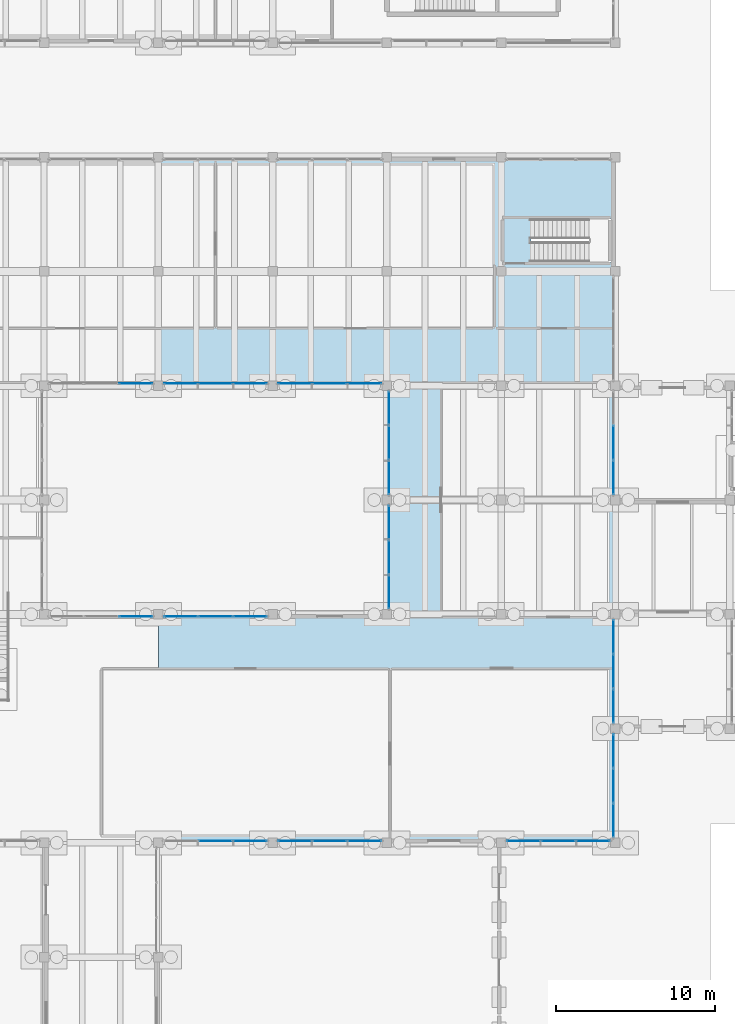
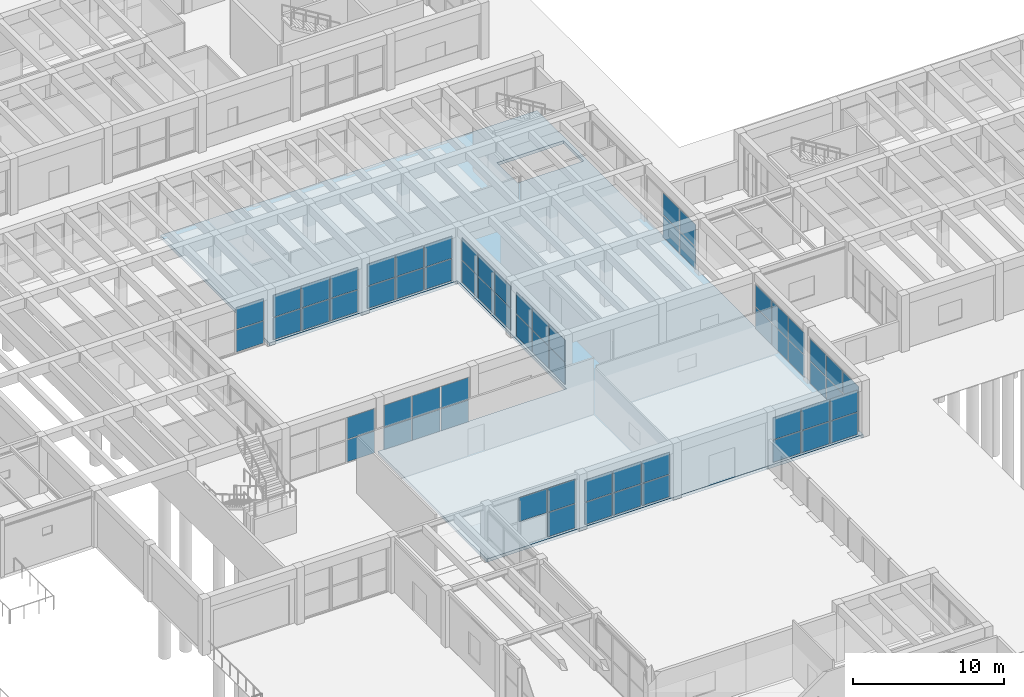
# One storey, part 111 of 155: 65 plates, 1 slab, 13 elements without a shape of their own.
"""IFC4 building model written with IfcOpenShell, lengths in metres."""

from ifc_helpers import new_model, si_unit, direction, frame, origin, origin_2d, place, context, subcontext, project, spatial, polyline, rectangle, outline, extrude, material, layer, layer_set, type_object, element, aggregate, save


model = new_model("IFC4")

# Units and contexts
model_context = context("Model", 3, precision=1e-05, world=origin(), true_north=direction((0.0, 1.0)))
body_context = subcontext(model_context, "Body", "Model", "MODEL_VIEW")
ifc_project = project(units=[si_unit("LENGTHUNIT", "METRE"), si_unit("AREAUNIT", "SQUARE_METRE"), si_unit("VOLUMEUNIT", "CUBIC_METRE"), si_unit("PLANEANGLEUNIT", "RADIAN"), si_unit("MASSUNIT", "GRAM", prefix="KILO")], contexts=[model_context])

# Site, building, storey
site_placement = place(None, origin())
site = spatial("IfcSite", under=ifc_project, at=site_placement, CompositionType="ELEMENT")
building_placement = place(site_placement, origin())
building = spatial("IfcBuilding", under=site, at=building_placement, Name="Bramvelor Terrace Health Centre", CompositionType="ELEMENT")
storey_placement = place(building_placement, origin())
storey = spatial("IfcBuildingStorey", under=building, at=storey_placement, Name="L01", CompositionType="ELEMENT", Elevation=0.0)

# Curtain wall, plates
ifc_material_1 = material(Name="Anodized aluminium and double low-E glass", Category="aluminium")
curtain_wall_type_1 = type_object("IfcCurtainWallType", Name="CW-SYS-02", PredefinedType="NOTDEFINED", material=ifc_material_1)
curtain_wall_1_placement = place(storey_placement, origin())
curtain_wall_1 = element("IfcCurtainWall", 1, at=curtain_wall_1_placement, inside=storey, type_object=curtain_wall_type_1, Name="L01 Unitized Curtain Wall 35", PredefinedType="NOTDEFINED")
ifc_material_2 = material(Name="Double low-E laminated glass", Category="glass")
ifc_layer_1 = layer(ifc_material_2, 0.028076171875)
ifc_layer_set_1 = layer_set([ifc_layer_1], Name="Double low-E laminated glass")
plate_type = type_object("IfcPlateType", Name="CW-PNL-GLZ28", PredefinedType="CURTAIN_PANEL", material=ifc_layer_set_1)
plate_1_placement = place(storey_placement, frame((93.469970703125, 61.199951171875, 0.06494140625), z_axis=(0.0, 0.0, 1.0), x_axis=(0.0, -1.0, 0.0)))
plate_1 = element("IfcPlate", 2, at=plate_1_placement, type_object=plate_type, Name="CW-02 panel 2.1", PredefinedType="CURTAIN_PANEL", context=body_context, shape_type="SweptSolid", body=[
    extrude(rectangle(XDim=2.12841796875, YDim=0.028076171875, at=origin_2d()), origin(), (0.0, 0.0, 1.0), 1.762451171875),
])
plate_2_placement = place(storey_placement, frame((93.469970703125, 61.199951171875, 1.892578125), z_axis=(0.0, 0.0, 1.0), x_axis=(0.0, -1.0, 0.0)))
plate_2 = element("IfcPlate", 3, at=plate_2_placement, type_object=plate_type, Name="CW-02 panel 2.2", PredefinedType="CURTAIN_PANEL", context=body_context, shape_type="SweptSolid", body=[
    extrude(rectangle(XDim=2.12841796875, YDim=0.028076171875, at=origin_2d()), origin(), (0.0, 0.0, 1.0), 1.762451171875),
])
plate_3_placement = place(storey_placement, frame((93.469970703125, 59.015380859375, 0.06494140625), z_axis=(0.0, 0.0, 1.0), x_axis=(0.0, -1.0, 0.0)))
plate_3 = element("IfcPlate", 4, at=plate_3_placement, type_object=plate_type, Name="CW-02 panel 3.1", PredefinedType="CURTAIN_PANEL", context=body_context, shape_type="SweptSolid", body=[
    extrude(rectangle(XDim=2.0908203125, YDim=0.028076171875, at=origin_2d()), origin(), (0.0, 0.0, 1.0), 1.762451171875),
])
plate_4_placement = place(storey_placement, frame((93.469970703125, 59.015380859375, 1.892578125), z_axis=(0.0, 0.0, 1.0), x_axis=(0.0, -1.0, 0.0)))
plate_4 = element("IfcPlate", 5, at=plate_4_placement, type_object=plate_type, Name="CW-02 panel 3.2", PredefinedType="CURTAIN_PANEL", context=body_context, shape_type="SweptSolid", body=[
    extrude(rectangle(XDim=2.0908203125, YDim=0.028076171875, at=origin_2d()), origin(), (0.0, 0.0, 1.0), 1.762451171875),
])
aggregate(curtain_wall_1, [plate_1, plate_2, plate_3, plate_4])

curtain_wall_2_placement = place(storey_placement, origin())
curtain_wall_2 = element("IfcCurtainWall", 6, at=curtain_wall_2_placement, inside=storey, type_object=curtain_wall_type_1, Name="L01 Unitized Curtain Wall 46", PredefinedType="NOTDEFINED")
plate_5_placement = place(storey_placement, frame((93.469970703125, 48.984619140625, 0.06494140625), z_axis=(0.0, 0.0, 1.0), x_axis=(0.0, -1.0, 0.0)))
plate_5 = element("IfcPlate", 7, at=plate_5_placement, type_object=plate_type, Name="CW-02 panel 1.1", PredefinedType="CURTAIN_PANEL", context=body_context, shape_type="SweptSolid", body=[
    extrude(rectangle(XDim=2.0908203125, YDim=0.028076171875, at=origin_2d()), origin(), (0.0, 0.0, 1.0), 1.762451171875),
])
plate_6_placement = place(storey_placement, frame((93.469970703125, 48.984619140625, 1.892578125), z_axis=(0.0, 0.0, 1.0), x_axis=(0.0, -1.0, 0.0)))
plate_6 = element("IfcPlate", 8, at=plate_6_placement, type_object=plate_type, Name="CW-02 panel 1.2", PredefinedType="CURTAIN_PANEL", context=body_context, shape_type="SweptSolid", body=[
    extrude(rectangle(XDim=2.0908203125, YDim=0.028076171875, at=origin_2d()), origin(), (0.0, 0.0, 1.0), 1.762451171875),
])
plate_7_placement = place(storey_placement, frame((93.469970703125, 46.800048828125, 0.06494140625), z_axis=(0.0, 0.0, 1.0), x_axis=(0.0, -1.0, 0.0)))
plate_7 = element("IfcPlate", 9, at=plate_7_placement, type_object=plate_type, Name="CW-02 panel 2.1", PredefinedType="CURTAIN_PANEL", context=body_context, shape_type="SweptSolid", body=[
    extrude(rectangle(XDim=2.12841796875, YDim=0.028076171875, at=origin_2d()), origin(), (0.0, 0.0, 1.0), 1.762451171875),
])
plate_8_placement = place(storey_placement, frame((93.469970703125, 46.800048828125, 1.892578125), z_axis=(0.0, 0.0, 1.0), x_axis=(0.0, -1.0, 0.0)))
plate_8 = element("IfcPlate", 10, at=plate_8_placement, type_object=plate_type, Name="CW-02 panel 2.2", PredefinedType="CURTAIN_PANEL", context=body_context, shape_type="SweptSolid", body=[
    extrude(rectangle(XDim=2.12841796875, YDim=0.028076171875, at=origin_2d()), origin(), (0.0, 0.0, 1.0), 1.762451171875),
])
plate_9_placement = place(storey_placement, frame((93.469970703125, 44.615478515625, 0.06494140625), z_axis=(0.0, 0.0, 1.0), x_axis=(0.0, -1.0, 0.0)))
plate_9 = element("IfcPlate", 11, at=plate_9_placement, type_object=plate_type, Name="CW-02 panel 3.1", PredefinedType="CURTAIN_PANEL", context=body_context, shape_type="SweptSolid", body=[
    extrude(rectangle(XDim=2.0908203125, YDim=0.028076171875, at=origin_2d()), origin(), (0.0, 0.0, 1.0), 1.762451171875),
])
plate_10_placement = place(storey_placement, frame((93.469970703125, 44.615478515625, 1.892578125), z_axis=(0.0, 0.0, 1.0), x_axis=(0.0, -1.0, 0.0)))
plate_10 = element("IfcPlate", 12, at=plate_10_placement, type_object=plate_type, Name="CW-02 panel 3.2", PredefinedType="CURTAIN_PANEL", context=body_context, shape_type="SweptSolid", body=[
    extrude(rectangle(XDim=2.0908203125, YDim=0.028076171875, at=origin_2d()), origin(), (0.0, 0.0, 1.0), 1.762451171875),
])
aggregate(curtain_wall_2, [plate_5, plate_6, plate_7, plate_8, plate_9, plate_10])

curtain_wall_3_placement = place(storey_placement, origin())
curtain_wall_3 = element("IfcCurtainWall", 13, at=curtain_wall_3_placement, inside=storey, type_object=curtain_wall_type_1, Name="L01 Unitized Curtain Wall 47", PredefinedType="NOTDEFINED")
plate_11_placement = place(storey_placement, frame((93.469970703125, 41.78466796875, 0.06494140625), z_axis=(0.0, 0.0, 1.0), x_axis=(0.0, -1.0, 0.0)))
plate_11 = element("IfcPlate", 14, at=plate_11_placement, type_object=plate_type, Name="CW-02 panel 1.1", PredefinedType="CURTAIN_PANEL", context=body_context, shape_type="SweptSolid", body=[
    extrude(rectangle(XDim=2.0908203125, YDim=0.028076171875, at=origin_2d()), origin(), (0.0, 0.0, 1.0), 1.762451171875),
])
plate_12_placement = place(storey_placement, frame((93.469970703125, 41.78466796875, 1.892578125), z_axis=(0.0, 0.0, 1.0), x_axis=(0.0, -1.0, 0.0)))
plate_12 = element("IfcPlate", 15, at=plate_12_placement, type_object=plate_type, Name="CW-02 panel 1.2", PredefinedType="CURTAIN_PANEL", context=body_context, shape_type="SweptSolid", body=[
    extrude(rectangle(XDim=2.0908203125, YDim=0.028076171875, at=origin_2d()), origin(), (0.0, 0.0, 1.0), 1.762451171875),
])
plate_13_placement = place(storey_placement, frame((93.469970703125, 39.60009765625, 0.06494140625), z_axis=(0.0, 0.0, 1.0), x_axis=(0.0, -1.0, 0.0)))
plate_13 = element("IfcPlate", 16, at=plate_13_placement, type_object=plate_type, Name="CW-02 panel 2.1", PredefinedType="CURTAIN_PANEL", context=body_context, shape_type="SweptSolid", body=[
    extrude(rectangle(XDim=2.12841796875, YDim=0.028076171875, at=origin_2d()), origin(), (0.0, 0.0, 1.0), 1.762451171875),
])
plate_14_placement = place(storey_placement, frame((93.469970703125, 39.60009765625, 1.892578125), z_axis=(0.0, 0.0, 1.0), x_axis=(0.0, -1.0, 0.0)))
plate_14 = element("IfcPlate", 17, at=plate_14_placement, type_object=plate_type, Name="CW-02 panel 2.2", PredefinedType="CURTAIN_PANEL", context=body_context, shape_type="SweptSolid", body=[
    extrude(rectangle(XDim=2.12841796875, YDim=0.028076171875, at=origin_2d()), origin(), (0.0, 0.0, 1.0), 1.762451171875),
])
plate_15_placement = place(storey_placement, frame((93.469970703125, 37.41552734375, 0.06494140625), z_axis=(0.0, 0.0, 1.0), x_axis=(0.0, -1.0, 0.0)))
plate_15 = element("IfcPlate", 18, at=plate_15_placement, type_object=plate_type, Name="CW-02 panel 3.1", PredefinedType="CURTAIN_PANEL", context=body_context, shape_type="SweptSolid", body=[
    extrude(rectangle(XDim=2.0908203125, YDim=0.028076171875, at=origin_2d()), origin(), (0.0, 0.0, 1.0), 1.762451171875),
])
plate_16_placement = place(storey_placement, frame((93.469970703125, 37.41552734375, 1.892578125), z_axis=(0.0, 0.0, 1.0), x_axis=(0.0, -1.0, 0.0)))
plate_16 = element("IfcPlate", 19, at=plate_16_placement, type_object=plate_type, Name="CW-02 panel 3.2", PredefinedType="CURTAIN_PANEL", context=body_context, shape_type="SweptSolid", body=[
    extrude(rectangle(XDim=2.0908203125, YDim=0.028076171875, at=origin_2d()), origin(), (0.0, 0.0, 1.0), 1.762451171875),
])
aggregate(curtain_wall_3, [plate_11, plate_12, plate_13, plate_14, plate_15, plate_16])

curtain_wall_4_placement = place(storey_placement, origin())
curtain_wall_4 = element("IfcCurtainWall", 20, at=curtain_wall_4_placement, inside=storey, type_object=curtain_wall_type_1, Name="L01 Unitized Curtain Wall 48", PredefinedType="NOTDEFINED")
plate_17_placement = place(storey_placement, frame((92.1845703125, 36.1298828125, 0.06494140625), z_axis=(0.0, 0.0, 1.0), x_axis=(-1.0, 0.0, 0.0)))
plate_17 = element("IfcPlate", 21, at=plate_17_placement, type_object=plate_type, Name="CW-02 panel 1.1", PredefinedType="CURTAIN_PANEL", context=body_context, shape_type="SweptSolid", body=[
    extrude(rectangle(XDim=2.0908203125, YDim=0.028076171875, at=origin_2d()), origin(), (0.0, 0.0, 1.0), 1.762451171875),
])
plate_18_placement = place(storey_placement, frame((92.1845703125, 36.1298828125, 1.892578125), z_axis=(0.0, 0.0, 1.0), x_axis=(-1.0, 0.0, 0.0)))
plate_18 = element("IfcPlate", 22, at=plate_18_placement, type_object=plate_type, Name="CW-02 panel 1.2", PredefinedType="CURTAIN_PANEL", context=body_context, shape_type="SweptSolid", body=[
    extrude(rectangle(XDim=2.0908203125, YDim=0.028076171875, at=origin_2d()), origin(), (0.0, 0.0, 1.0), 1.762451171875),
])
plate_19_placement = place(storey_placement, frame((90.0, 36.1298828125, 0.06494140625), z_axis=(0.0, 0.0, 1.0), x_axis=(-1.0, 0.0, 0.0)))
plate_19 = element("IfcPlate", 23, at=plate_19_placement, type_object=plate_type, Name="CW-02 panel 2.1", PredefinedType="CURTAIN_PANEL", context=body_context, shape_type="SweptSolid", body=[
    extrude(rectangle(XDim=2.12841796875, YDim=0.028076171875, at=origin_2d()), origin(), (0.0, 0.0, 1.0), 1.762451171875),
])
plate_20_placement = place(storey_placement, frame((90.0, 36.1298828125, 1.892578125), z_axis=(0.0, 0.0, 1.0), x_axis=(-1.0, 0.0, 0.0)))
plate_20 = element("IfcPlate", 24, at=plate_20_placement, type_object=plate_type, Name="CW-02 panel 2.2", PredefinedType="CURTAIN_PANEL", context=body_context, shape_type="SweptSolid", body=[
    extrude(rectangle(XDim=2.12841796875, YDim=0.028076171875, at=origin_2d()), origin(), (0.0, 0.0, 1.0), 1.762451171875),
])
plate_21_placement = place(storey_placement, frame((87.8154296875, 36.1298828125, 0.06494140625), z_axis=(0.0, 0.0, 1.0), x_axis=(-1.0, 0.0, 0.0)))
plate_21 = element("IfcPlate", 25, at=plate_21_placement, type_object=plate_type, Name="CW-02 panel 3.1", PredefinedType="CURTAIN_PANEL", context=body_context, shape_type="SweptSolid", body=[
    extrude(rectangle(XDim=2.0908203125, YDim=0.028076171875, at=origin_2d()), origin(), (0.0, 0.0, 1.0), 1.762451171875),
])
plate_22_placement = place(storey_placement, frame((87.8154296875, 36.1298828125, 1.892578125), z_axis=(0.0, 0.0, 1.0), x_axis=(-1.0, 0.0, 0.0)))
plate_22 = element("IfcPlate", 26, at=plate_22_placement, type_object=plate_type, Name="CW-02 panel 3.2", PredefinedType="CURTAIN_PANEL", context=body_context, shape_type="SweptSolid", body=[
    extrude(rectangle(XDim=2.0908203125, YDim=0.028076171875, at=origin_2d()), origin(), (0.0, 0.0, 1.0), 1.762451171875),
])
aggregate(curtain_wall_4, [plate_17, plate_18, plate_19, plate_20, plate_21, plate_22])

curtain_wall_5_placement = place(storey_placement, origin())
curtain_wall_5 = element("IfcCurtainWall", 27, at=curtain_wall_5_placement, inside=storey, type_object=curtain_wall_type_1, Name="L01 Unitized Curtain Wall 49", PredefinedType="NOTDEFINED")
plate_23_placement = place(storey_placement, frame((77.78466796875, 36.1298828125, 0.06494140625), z_axis=(0.0, 0.0, 1.0), x_axis=(-1.0, 0.0, 0.0)))
plate_23 = element("IfcPlate", 28, at=plate_23_placement, type_object=plate_type, Name="CW-02 panel 1.1", PredefinedType="CURTAIN_PANEL", context=body_context, shape_type="SweptSolid", body=[
    extrude(rectangle(XDim=2.0908203125, YDim=0.028076171875, at=origin_2d()), origin(), (0.0, 0.0, 1.0), 1.762451171875),
])
plate_24_placement = place(storey_placement, frame((77.78466796875, 36.1298828125, 1.892578125), z_axis=(0.0, 0.0, 1.0), x_axis=(-1.0, 0.0, 0.0)))
plate_24 = element("IfcPlate", 29, at=plate_24_placement, type_object=plate_type, Name="CW-02 panel 1.2", PredefinedType="CURTAIN_PANEL", context=body_context, shape_type="SweptSolid", body=[
    extrude(rectangle(XDim=2.0908203125, YDim=0.028076171875, at=origin_2d()), origin(), (0.0, 0.0, 1.0), 1.762451171875),
])
plate_25_placement = place(storey_placement, frame((75.60009765625, 36.1298828125, 0.06494140625), z_axis=(0.0, 0.0, 1.0), x_axis=(-1.0, 0.0, 0.0)))
plate_25 = element("IfcPlate", 30, at=plate_25_placement, type_object=plate_type, Name="CW-02 panel 2.1", PredefinedType="CURTAIN_PANEL", context=body_context, shape_type="SweptSolid", body=[
    extrude(rectangle(XDim=2.12841796875, YDim=0.028076171875, at=origin_2d()), origin(), (0.0, 0.0, 1.0), 1.762451171875),
])
plate_26_placement = place(storey_placement, frame((75.60009765625, 36.1298828125, 1.892578125), z_axis=(0.0, 0.0, 1.0), x_axis=(-1.0, 0.0, 0.0)))
plate_26 = element("IfcPlate", 31, at=plate_26_placement, type_object=plate_type, Name="CW-02 panel 2.2", PredefinedType="CURTAIN_PANEL", context=body_context, shape_type="SweptSolid", body=[
    extrude(rectangle(XDim=2.12841796875, YDim=0.028076171875, at=origin_2d()), origin(), (0.0, 0.0, 1.0), 1.762451171875),
])
plate_27_placement = place(storey_placement, frame((73.41552734375, 36.1298828125, 0.06494140625), z_axis=(0.0, 0.0, 1.0), x_axis=(-1.0, 0.0, 0.0)))
plate_27 = element("IfcPlate", 32, at=plate_27_placement, type_object=plate_type, Name="CW-02 panel 3.1", PredefinedType="CURTAIN_PANEL", context=body_context, shape_type="SweptSolid", body=[
    extrude(rectangle(XDim=2.0908203125, YDim=0.028076171875, at=origin_2d()), origin(), (0.0, 0.0, 1.0), 1.762451171875),
])
plate_28_placement = place(storey_placement, frame((73.41552734375, 36.1298828125, 1.892578125), z_axis=(0.0, 0.0, 1.0), x_axis=(-1.0, 0.0, 0.0)))
plate_28 = element("IfcPlate", 33, at=plate_28_placement, type_object=plate_type, Name="CW-02 panel 3.2", PredefinedType="CURTAIN_PANEL", context=body_context, shape_type="SweptSolid", body=[
    extrude(rectangle(XDim=2.0908203125, YDim=0.028076171875, at=origin_2d()), origin(), (0.0, 0.0, 1.0), 1.762451171875),
])
aggregate(curtain_wall_5, [plate_23, plate_24, plate_25, plate_26, plate_27, plate_28])

ifc_material_3 = material(Name="Anodized aluminium and double low-E glass", Category="aluminium")
curtain_wall_type_2 = type_object("IfcCurtainWallType", Name="CW-SYS-07", PredefinedType="NOTDEFINED", material=ifc_material_3)
curtain_wall_6_placement = place(storey_placement, origin())
curtain_wall_6 = element("IfcCurtainWall", 34, at=curtain_wall_6_placement, inside=storey, type_object=curtain_wall_type_2, Name="L01 Unitized Curtain Wall 50", PredefinedType="NOTDEFINED")
plate_29_placement = place(storey_placement, frame((70.58447265625, 36.1298828125, 0.06494140625), z_axis=(0.0, 0.0, 1.0), x_axis=(-1.0, 0.0, 0.0)))
plate_29 = element("IfcPlate", 35, at=plate_29_placement, type_object=plate_type, Name="CW-07 panel 1.1", PredefinedType="CURTAIN_PANEL", context=body_context, shape_type="SweptSolid", body=[
    extrude(rectangle(XDim=2.0908203125, YDim=0.028076171875, at=origin_2d()), origin(), (0.0, 0.0, 1.0), 1.93603515625),
])
plate_30_placement = place(storey_placement, frame((70.58447265625, 36.1298828125, 2.06591796875), z_axis=(0.0, 0.0, 1.0), x_axis=(-1.0, 0.0, 0.0)))
plate_30 = element("IfcPlate", 36, at=plate_30_placement, type_object=plate_type, Name="CW-07 panel 1.2", PredefinedType="CURTAIN_PANEL", context=body_context, shape_type="SweptSolid", body=[
    extrude(rectangle(XDim=2.0908203125, YDim=0.028076171875, at=origin_2d()), origin(), (0.0, 0.0, 1.0), 1.93603515625),
])
plate_31_placement = place(storey_placement, frame((68.39990234375, 36.1298828125, 2.06591796875), z_axis=(0.0, 0.0, 1.0), x_axis=(-1.0, 0.0, 0.0)))
plate_31 = element("IfcPlate", 37, at=plate_31_placement, type_object=plate_type, Name="CW-07 panel 2.2", PredefinedType="CURTAIN_PANEL", context=body_context, shape_type="SweptSolid", body=[
    extrude(rectangle(XDim=2.12841796875, YDim=0.028076171875, at=origin_2d()), origin(), (0.0, 0.0, 1.0), 1.93603515625),
])
aggregate(curtain_wall_6, [plate_29, plate_30, plate_31])

curtain_wall_7_placement = place(storey_placement, origin())
curtain_wall_7 = element("IfcCurtainWall", 38, at=curtain_wall_7_placement, inside=storey, type_object=curtain_wall_type_1, Name="L01 Unitized Curtain Wall 60", PredefinedType="NOTDEFINED")
plate_32_placement = place(storey_placement, frame((63.384521484375, 50.27001953125, 0.06494140625), z_axis=(0.0, 0.0, 1.0), x_axis=(1.0, 0.0, 0.0)))
plate_32 = element("IfcPlate", 39, at=plate_32_placement, type_object=plate_type, Name="CW-02 panel 3.1", PredefinedType="CURTAIN_PANEL", context=body_context, shape_type="SweptSolid", body=[
    extrude(rectangle(XDim=2.0908203125, YDim=0.028076171875, at=origin_2d()), origin(), (0.0, 0.0, 1.0), 1.762451171875),
])
plate_33_placement = place(storey_placement, frame((63.384521484375, 50.27001953125, 1.892578125), z_axis=(0.0, 0.0, 1.0), x_axis=(1.0, 0.0, 0.0)))
plate_33 = element("IfcPlate", 40, at=plate_33_placement, type_object=plate_type, Name="CW-02 panel 3.2", PredefinedType="CURTAIN_PANEL", context=body_context, shape_type="SweptSolid", body=[
    extrude(rectangle(XDim=2.0908203125, YDim=0.028076171875, at=origin_2d()), origin(), (0.0, 0.0, 1.0), 1.762451171875),
])
aggregate(curtain_wall_7, [plate_32, plate_33])

curtain_wall_8_placement = place(storey_placement, origin())
curtain_wall_8 = element("IfcCurtainWall", 41, at=curtain_wall_8_placement, inside=storey, type_object=curtain_wall_type_1, Name="L01 Unitized Curtain Wall 61", PredefinedType="NOTDEFINED")
plate_34_placement = place(storey_placement, frame((66.21533203125, 50.27001953125, 0.06494140625), z_axis=(0.0, 0.0, 1.0), x_axis=(1.0, 0.0, 0.0)))
plate_34 = element("IfcPlate", 42, at=plate_34_placement, type_object=plate_type, Name="CW-02 panel 1.1", PredefinedType="CURTAIN_PANEL", context=body_context, shape_type="SweptSolid", body=[
    extrude(rectangle(XDim=2.0908203125, YDim=0.028076171875, at=origin_2d()), origin(), (0.0, 0.0, 1.0), 1.762451171875),
])
plate_35_placement = place(storey_placement, frame((66.21533203125, 50.27001953125, 1.892578125), z_axis=(0.0, 0.0, 1.0), x_axis=(1.0, 0.0, 0.0)))
plate_35 = element("IfcPlate", 43, at=plate_35_placement, type_object=plate_type, Name="CW-02 panel 1.2", PredefinedType="CURTAIN_PANEL", context=body_context, shape_type="SweptSolid", body=[
    extrude(rectangle(XDim=2.0908203125, YDim=0.028076171875, at=origin_2d()), origin(), (0.0, 0.0, 1.0), 1.762451171875),
])
plate_36_placement = place(storey_placement, frame((68.39990234375, 50.27001953125, 0.06494140625), z_axis=(0.0, 0.0, 1.0), x_axis=(1.0, 0.0, 0.0)))
plate_36 = element("IfcPlate", 44, at=plate_36_placement, type_object=plate_type, Name="CW-02 panel 2.1", PredefinedType="CURTAIN_PANEL", context=body_context, shape_type="SweptSolid", body=[
    extrude(rectangle(XDim=2.12841796875, YDim=0.028076171875, at=origin_2d()), origin(), (0.0, 0.0, 1.0), 1.762451171875),
])
plate_37_placement = place(storey_placement, frame((68.39990234375, 50.27001953125, 1.892578125), z_axis=(0.0, 0.0, 1.0), x_axis=(1.0, 0.0, 0.0)))
plate_37 = element("IfcPlate", 45, at=plate_37_placement, type_object=plate_type, Name="CW-02 panel 2.2", PredefinedType="CURTAIN_PANEL", context=body_context, shape_type="SweptSolid", body=[
    extrude(rectangle(XDim=2.12841796875, YDim=0.028076171875, at=origin_2d()), origin(), (0.0, 0.0, 1.0), 1.762451171875),
])
plate_38_placement = place(storey_placement, frame((70.58447265625, 50.27001953125, 0.06494140625), z_axis=(0.0, 0.0, 1.0), x_axis=(1.0, 0.0, 0.0)))
plate_38 = element("IfcPlate", 46, at=plate_38_placement, type_object=plate_type, Name="CW-02 panel 3.1", PredefinedType="CURTAIN_PANEL", context=body_context, shape_type="SweptSolid", body=[
    extrude(rectangle(XDim=2.0908203125, YDim=0.028076171875, at=origin_2d()), origin(), (0.0, 0.0, 1.0), 1.762451171875),
])
plate_39_placement = place(storey_placement, frame((70.58447265625, 50.27001953125, 1.892578125), z_axis=(0.0, 0.0, 1.0), x_axis=(1.0, 0.0, 0.0)))
plate_39 = element("IfcPlate", 47, at=plate_39_placement, type_object=plate_type, Name="CW-02 panel 3.2", PredefinedType="CURTAIN_PANEL", context=body_context, shape_type="SweptSolid", body=[
    extrude(rectangle(XDim=2.0908203125, YDim=0.028076171875, at=origin_2d()), origin(), (0.0, 0.0, 1.0), 1.762451171875),
])
aggregate(curtain_wall_8, [plate_34, plate_35, plate_36, plate_37, plate_38, plate_39])

curtain_wall_9_placement = place(storey_placement, origin())
curtain_wall_9 = element("IfcCurtainWall", 48, at=curtain_wall_9_placement, inside=storey, type_object=curtain_wall_type_1, Name="L01 Unitized Curtain Wall 62", PredefinedType="NOTDEFINED")
plate_40_placement = place(storey_placement, frame((79.330078125, 51.8154296875, 0.06494140625), z_axis=(0.0, 0.0, 1.0), x_axis=(0.0, 1.0, 0.0)))
plate_40 = element("IfcPlate", 49, at=plate_40_placement, type_object=plate_type, Name="CW-02 panel 1.1", PredefinedType="CURTAIN_PANEL", context=body_context, shape_type="SweptSolid", body=[
    extrude(rectangle(XDim=2.0908203125, YDim=0.028076171875, at=origin_2d()), origin(), (0.0, 0.0, 1.0), 1.762451171875),
])
plate_41_placement = place(storey_placement, frame((79.330078125, 51.8154296875, 1.892578125), z_axis=(0.0, 0.0, 1.0), x_axis=(0.0, 1.0, 0.0)))
plate_41 = element("IfcPlate", 50, at=plate_41_placement, type_object=plate_type, Name="CW-02 panel 1.2", PredefinedType="CURTAIN_PANEL", context=body_context, shape_type="SweptSolid", body=[
    extrude(rectangle(XDim=2.0908203125, YDim=0.028076171875, at=origin_2d()), origin(), (0.0, 0.0, 1.0), 1.762451171875),
])
plate_42_placement = place(storey_placement, frame((79.330078125, 54.0, 0.06494140625), z_axis=(0.0, 0.0, 1.0), x_axis=(0.0, 1.0, 0.0)))
plate_42 = element("IfcPlate", 51, at=plate_42_placement, type_object=plate_type, Name="CW-02 panel 2.1", PredefinedType="CURTAIN_PANEL", context=body_context, shape_type="SweptSolid", body=[
    extrude(rectangle(XDim=2.12841796875, YDim=0.028076171875, at=origin_2d()), origin(), (0.0, 0.0, 1.0), 1.762451171875),
])
plate_43_placement = place(storey_placement, frame((79.330078125, 54.0, 1.892578125), z_axis=(0.0, 0.0, 1.0), x_axis=(0.0, 1.0, 0.0)))
plate_43 = element("IfcPlate", 52, at=plate_43_placement, type_object=plate_type, Name="CW-02 panel 2.2", PredefinedType="CURTAIN_PANEL", context=body_context, shape_type="SweptSolid", body=[
    extrude(rectangle(XDim=2.12841796875, YDim=0.028076171875, at=origin_2d()), origin(), (0.0, 0.0, 1.0), 1.762451171875),
])
plate_44_placement = place(storey_placement, frame((79.330078125, 56.1845703125, 0.06494140625), z_axis=(0.0, 0.0, 1.0), x_axis=(0.0, 1.0, 0.0)))
plate_44 = element("IfcPlate", 53, at=plate_44_placement, type_object=plate_type, Name="CW-02 panel 3.1", PredefinedType="CURTAIN_PANEL", context=body_context, shape_type="SweptSolid", body=[
    extrude(rectangle(XDim=2.0908203125, YDim=0.028076171875, at=origin_2d()), origin(), (0.0, 0.0, 1.0), 1.762451171875),
])
plate_45_placement = place(storey_placement, frame((79.330078125, 56.1845703125, 1.892578125), z_axis=(0.0, 0.0, 1.0), x_axis=(0.0, 1.0, 0.0)))
plate_45 = element("IfcPlate", 54, at=plate_45_placement, type_object=plate_type, Name="CW-02 panel 3.2", PredefinedType="CURTAIN_PANEL", context=body_context, shape_type="SweptSolid", body=[
    extrude(rectangle(XDim=2.0908203125, YDim=0.028076171875, at=origin_2d()), origin(), (0.0, 0.0, 1.0), 1.762451171875),
])
aggregate(curtain_wall_9, [plate_40, plate_41, plate_42, plate_43, plate_44, plate_45])

curtain_wall_10_placement = place(storey_placement, origin())
curtain_wall_10 = element("IfcCurtainWall", 55, at=curtain_wall_10_placement, inside=storey, type_object=curtain_wall_type_1, Name="L01 Unitized Curtain Wall 63", PredefinedType="NOTDEFINED")
plate_46_placement = place(storey_placement, frame((79.330078125, 59.015380859375, 0.06494140625), z_axis=(0.0, 0.0, 1.0), x_axis=(0.0, 1.0, 0.0)))
plate_46 = element("IfcPlate", 56, at=plate_46_placement, type_object=plate_type, Name="CW-02 panel 1.1", PredefinedType="CURTAIN_PANEL", context=body_context, shape_type="SweptSolid", body=[
    extrude(rectangle(XDim=2.0908203125, YDim=0.028076171875, at=origin_2d()), origin(), (0.0, 0.0, 1.0), 1.762451171875),
])
plate_47_placement = place(storey_placement, frame((79.330078125, 59.015380859375, 1.892578125), z_axis=(0.0, 0.0, 1.0), x_axis=(0.0, 1.0, 0.0)))
plate_47 = element("IfcPlate", 57, at=plate_47_placement, type_object=plate_type, Name="CW-02 panel 1.2", PredefinedType="CURTAIN_PANEL", context=body_context, shape_type="SweptSolid", body=[
    extrude(rectangle(XDim=2.0908203125, YDim=0.028076171875, at=origin_2d()), origin(), (0.0, 0.0, 1.0), 1.762451171875),
])
plate_48_placement = place(storey_placement, frame((79.330078125, 61.199951171875, 0.06494140625), z_axis=(0.0, 0.0, 1.0), x_axis=(0.0, 1.0, 0.0)))
plate_48 = element("IfcPlate", 58, at=plate_48_placement, type_object=plate_type, Name="CW-02 panel 2.1", PredefinedType="CURTAIN_PANEL", context=body_context, shape_type="SweptSolid", body=[
    extrude(rectangle(XDim=2.12841796875, YDim=0.028076171875, at=origin_2d()), origin(), (0.0, 0.0, 1.0), 1.762451171875),
])
plate_49_placement = place(storey_placement, frame((79.330078125, 61.199951171875, 1.892578125), z_axis=(0.0, 0.0, 1.0), x_axis=(0.0, 1.0, 0.0)))
plate_49 = element("IfcPlate", 59, at=plate_49_placement, type_object=plate_type, Name="CW-02 panel 2.2", PredefinedType="CURTAIN_PANEL", context=body_context, shape_type="SweptSolid", body=[
    extrude(rectangle(XDim=2.12841796875, YDim=0.028076171875, at=origin_2d()), origin(), (0.0, 0.0, 1.0), 1.762451171875),
])
plate_50_placement = place(storey_placement, frame((79.330078125, 63.384521484375, 0.06494140625), z_axis=(0.0, 0.0, 1.0), x_axis=(0.0, 1.0, 0.0)))
plate_50 = element("IfcPlate", 60, at=plate_50_placement, type_object=plate_type, Name="CW-02 panel 3.1", PredefinedType="CURTAIN_PANEL", context=body_context, shape_type="SweptSolid", body=[
    extrude(rectangle(XDim=2.0908203125, YDim=0.028076171875, at=origin_2d()), origin(), (0.0, 0.0, 1.0), 1.762451171875),
])
plate_51_placement = place(storey_placement, frame((79.330078125, 63.384521484375, 1.892578125), z_axis=(0.0, 0.0, 1.0), x_axis=(0.0, 1.0, 0.0)))
plate_51 = element("IfcPlate", 61, at=plate_51_placement, type_object=plate_type, Name="CW-02 panel 3.2", PredefinedType="CURTAIN_PANEL", context=body_context, shape_type="SweptSolid", body=[
    extrude(rectangle(XDim=2.0908203125, YDim=0.028076171875, at=origin_2d()), origin(), (0.0, 0.0, 1.0), 1.762451171875),
])
aggregate(curtain_wall_10, [plate_46, plate_47, plate_48, plate_49, plate_50, plate_51])

curtain_wall_11_placement = place(storey_placement, origin())
curtain_wall_11 = element("IfcCurtainWall", 62, at=curtain_wall_11_placement, inside=storey, type_object=curtain_wall_type_1, Name="L01 Unitized Curtain Wall 64", PredefinedType="NOTDEFINED")
plate_52_placement = place(storey_placement, frame((77.78466796875, 64.929931640625, 0.06494140625), z_axis=(0.0, 0.0, 1.0), x_axis=(-1.0, 0.0, 0.0)))
plate_52 = element("IfcPlate", 63, at=plate_52_placement, type_object=plate_type, Name="CW-02 panel 1.1", PredefinedType="CURTAIN_PANEL", context=body_context, shape_type="SweptSolid", body=[
    extrude(rectangle(XDim=2.0908203125, YDim=0.028076171875, at=origin_2d()), origin(), (0.0, 0.0, 1.0), 1.762451171875),
])
plate_53_placement = place(storey_placement, frame((77.78466796875, 64.929931640625, 1.892578125), z_axis=(0.0, 0.0, 1.0), x_axis=(-1.0, 0.0, 0.0)))
plate_53 = element("IfcPlate", 64, at=plate_53_placement, type_object=plate_type, Name="CW-02 panel 1.2", PredefinedType="CURTAIN_PANEL", context=body_context, shape_type="SweptSolid", body=[
    extrude(rectangle(XDim=2.0908203125, YDim=0.028076171875, at=origin_2d()), origin(), (0.0, 0.0, 1.0), 1.762451171875),
])
plate_54_placement = place(storey_placement, frame((75.60009765625, 64.929931640625, 0.06494140625), z_axis=(0.0, 0.0, 1.0), x_axis=(-1.0, 0.0, 0.0)))
plate_54 = element("IfcPlate", 65, at=plate_54_placement, type_object=plate_type, Name="CW-02 panel 2.1", PredefinedType="CURTAIN_PANEL", context=body_context, shape_type="SweptSolid", body=[
    extrude(rectangle(XDim=2.12841796875, YDim=0.028076171875, at=origin_2d()), origin(), (0.0, 0.0, 1.0), 1.762451171875),
])
plate_55_placement = place(storey_placement, frame((75.60009765625, 64.929931640625, 1.892578125), z_axis=(0.0, 0.0, 1.0), x_axis=(-1.0, 0.0, 0.0)))
plate_55 = element("IfcPlate", 66, at=plate_55_placement, type_object=plate_type, Name="CW-02 panel 2.2", PredefinedType="CURTAIN_PANEL", context=body_context, shape_type="SweptSolid", body=[
    extrude(rectangle(XDim=2.12841796875, YDim=0.028076171875, at=origin_2d()), origin(), (0.0, 0.0, 1.0), 1.762451171875),
])
plate_56_placement = place(storey_placement, frame((73.41552734375, 64.929931640625, 0.06494140625), z_axis=(0.0, 0.0, 1.0), x_axis=(-1.0, 0.0, 0.0)))
plate_56 = element("IfcPlate", 67, at=plate_56_placement, type_object=plate_type, Name="CW-02 panel 3.1", PredefinedType="CURTAIN_PANEL", context=body_context, shape_type="SweptSolid", body=[
    extrude(rectangle(XDim=2.0908203125, YDim=0.028076171875, at=origin_2d()), origin(), (0.0, 0.0, 1.0), 1.762451171875),
])
plate_57_placement = place(storey_placement, frame((73.41552734375, 64.929931640625, 1.892578125), z_axis=(0.0, 0.0, 1.0), x_axis=(-1.0, 0.0, 0.0)))
plate_57 = element("IfcPlate", 68, at=plate_57_placement, type_object=plate_type, Name="CW-02 panel 3.2", PredefinedType="CURTAIN_PANEL", context=body_context, shape_type="SweptSolid", body=[
    extrude(rectangle(XDim=2.0908203125, YDim=0.028076171875, at=origin_2d()), origin(), (0.0, 0.0, 1.0), 1.762451171875),
])
aggregate(curtain_wall_11, [plate_52, plate_53, plate_54, plate_55, plate_56, plate_57])

curtain_wall_12_placement = place(storey_placement, origin())
curtain_wall_12 = element("IfcCurtainWall", 69, at=curtain_wall_12_placement, inside=storey, type_object=curtain_wall_type_1, Name="L01 Unitized Curtain Wall 65", PredefinedType="NOTDEFINED")
plate_58_placement = place(storey_placement, frame((70.58447265625, 64.929931640625, 0.06494140625), z_axis=(0.0, 0.0, 1.0), x_axis=(-1.0, 0.0, 0.0)))
plate_58 = element("IfcPlate", 70, at=plate_58_placement, type_object=plate_type, Name="CW-02 panel 1.1", PredefinedType="CURTAIN_PANEL", context=body_context, shape_type="SweptSolid", body=[
    extrude(rectangle(XDim=2.0908203125, YDim=0.028076171875, at=origin_2d()), origin(), (0.0, 0.0, 1.0), 1.762451171875),
])
plate_59_placement = place(storey_placement, frame((70.58447265625, 64.929931640625, 1.892578125), z_axis=(0.0, 0.0, 1.0), x_axis=(-1.0, 0.0, 0.0)))
plate_59 = element("IfcPlate", 71, at=plate_59_placement, type_object=plate_type, Name="CW-02 panel 1.2", PredefinedType="CURTAIN_PANEL", context=body_context, shape_type="SweptSolid", body=[
    extrude(rectangle(XDim=2.0908203125, YDim=0.028076171875, at=origin_2d()), origin(), (0.0, 0.0, 1.0), 1.762451171875),
])
plate_60_placement = place(storey_placement, frame((68.39990234375, 64.929931640625, 0.06494140625), z_axis=(0.0, 0.0, 1.0), x_axis=(-1.0, 0.0, 0.0)))
plate_60 = element("IfcPlate", 72, at=plate_60_placement, type_object=plate_type, Name="CW-02 panel 2.1", PredefinedType="CURTAIN_PANEL", context=body_context, shape_type="SweptSolid", body=[
    extrude(rectangle(XDim=2.12841796875, YDim=0.028076171875, at=origin_2d()), origin(), (0.0, 0.0, 1.0), 1.762451171875),
])
plate_61_placement = place(storey_placement, frame((68.39990234375, 64.929931640625, 1.892578125), z_axis=(0.0, 0.0, 1.0), x_axis=(-1.0, 0.0, 0.0)))
plate_61 = element("IfcPlate", 73, at=plate_61_placement, type_object=plate_type, Name="CW-02 panel 2.2", PredefinedType="CURTAIN_PANEL", context=body_context, shape_type="SweptSolid", body=[
    extrude(rectangle(XDim=2.12841796875, YDim=0.028076171875, at=origin_2d()), origin(), (0.0, 0.0, 1.0), 1.762451171875),
])
plate_62_placement = place(storey_placement, frame((66.21533203125, 64.929931640625, 0.06494140625), z_axis=(0.0, 0.0, 1.0), x_axis=(-1.0, 0.0, 0.0)))
plate_62 = element("IfcPlate", 74, at=plate_62_placement, type_object=plate_type, Name="CW-02 panel 3.1", PredefinedType="CURTAIN_PANEL", context=body_context, shape_type="SweptSolid", body=[
    extrude(rectangle(XDim=2.0908203125, YDim=0.028076171875, at=origin_2d()), origin(), (0.0, 0.0, 1.0), 1.762451171875),
])
plate_63_placement = place(storey_placement, frame((66.21533203125, 64.929931640625, 1.892578125), z_axis=(0.0, 0.0, 1.0), x_axis=(-1.0, 0.0, 0.0)))
plate_63 = element("IfcPlate", 75, at=plate_63_placement, type_object=plate_type, Name="CW-02 panel 3.2", PredefinedType="CURTAIN_PANEL", context=body_context, shape_type="SweptSolid", body=[
    extrude(rectangle(XDim=2.0908203125, YDim=0.028076171875, at=origin_2d()), origin(), (0.0, 0.0, 1.0), 1.762451171875),
])
aggregate(curtain_wall_12, [plate_58, plate_59, plate_60, plate_61, plate_62, plate_63])

curtain_wall_13_placement = place(storey_placement, origin())
curtain_wall_13 = element("IfcCurtainWall", 76, at=curtain_wall_13_placement, inside=storey, type_object=curtain_wall_type_1, Name="L01 Unitized Curtain Wall 66", PredefinedType="NOTDEFINED")
plate_64_placement = place(storey_placement, frame((63.384521484375, 64.929931640625, 0.06494140625), z_axis=(0.0, 0.0, 1.0), x_axis=(-1.0, 0.0, 0.0)))
plate_64 = element("IfcPlate", 77, at=plate_64_placement, type_object=plate_type, Name="CW-02 panel 1.1", PredefinedType="CURTAIN_PANEL", context=body_context, shape_type="SweptSolid", body=[
    extrude(rectangle(XDim=2.0908203125, YDim=0.028076171875, at=origin_2d()), origin(), (0.0, 0.0, 1.0), 1.762451171875),
])
plate_65_placement = place(storey_placement, frame((63.384521484375, 64.929931640625, 1.892578125), z_axis=(0.0, 0.0, 1.0), x_axis=(-1.0, 0.0, 0.0)))
plate_65 = element("IfcPlate", 78, at=plate_65_placement, type_object=plate_type, Name="CW-02 panel 1.2", PredefinedType="CURTAIN_PANEL", context=body_context, shape_type="SweptSolid", body=[
    extrude(rectangle(XDim=2.0908203125, YDim=0.028076171875, at=origin_2d()), origin(), (0.0, 0.0, 1.0), 1.762451171875),
])
aggregate(curtain_wall_13, [plate_64, plate_65])

# Slab
ifc_material_4 = material(Name="Concrete C40/50", Category="concrete")
ifc_layer_2 = layer(ifc_material_4, 0.25)
ifc_layer_set_2 = layer_set([ifc_layer_2], Name="Concrete C40/50")
slab_type = type_object("IfcSlabType", Name="SLB-FLR-RC250", PredefinedType="FLOOR", material=ifc_layer_set_2)
slab_placement = place(storey_placement, frame((0.0, 0.0, -0.25)))
element("IfcSlab", 79, at=slab_placement, inside=storey, type_object=slab_type, Name="L01 V1_E Floor Slab", PredefinedType="FLOOR", context=body_context, shape_type="SweptSolid", body=[
    extrude(outline(polyline([(93.60009765625, 36.0), (64.800048828125, 36.0), (64.800048828125, 50.39990234375), (79.199951171875, 50.39990234375), (79.199951171875, 64.800048828125), (64.800048828125, 64.800048828125), (64.800048828125, 79.199951171875), (93.60009765625, 79.199951171875), (93.60009765625, 36.0)]), holes=[polyline([(93.35009765625, 75.300048828125), (88.280029296875, 75.300048828125), (88.280029296875, 72.60009765625), (93.35009765625, 72.60009765625), (93.35009765625, 75.300048828125)])]), origin(), (0.0, 0.0, 1.0), 0.25),
])

save(model, "model.ifc")
